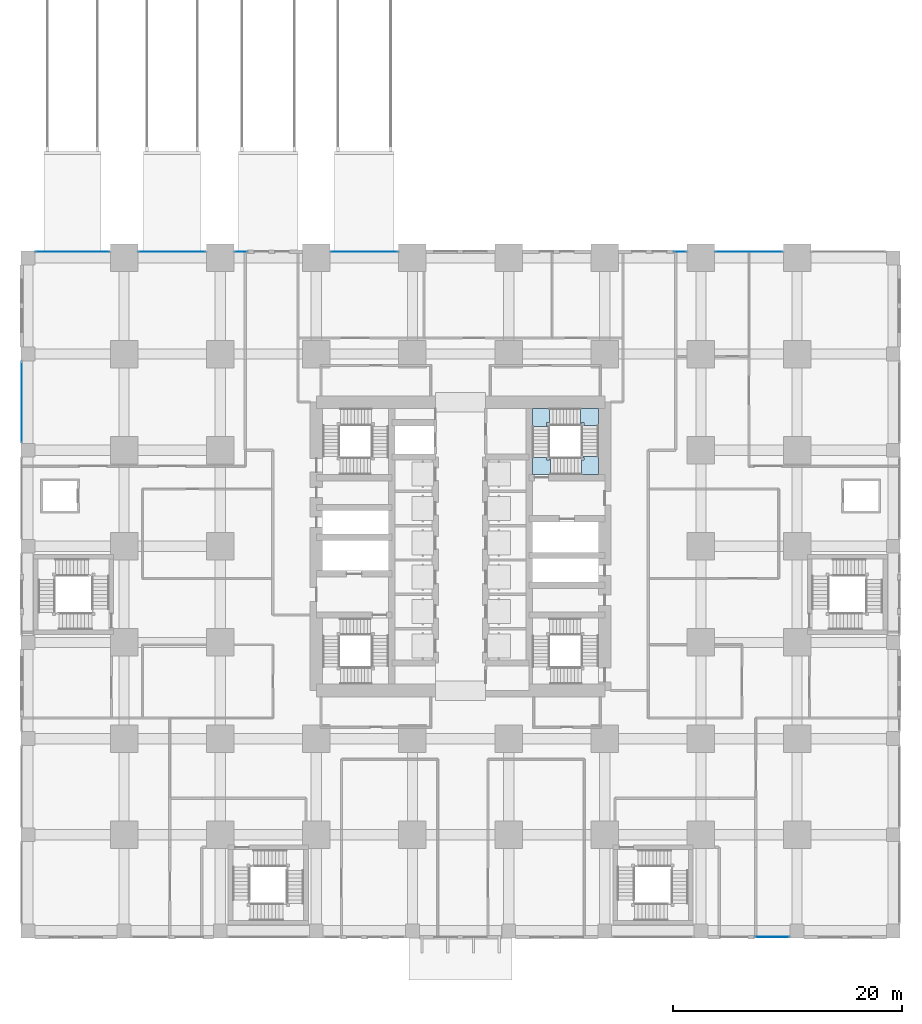
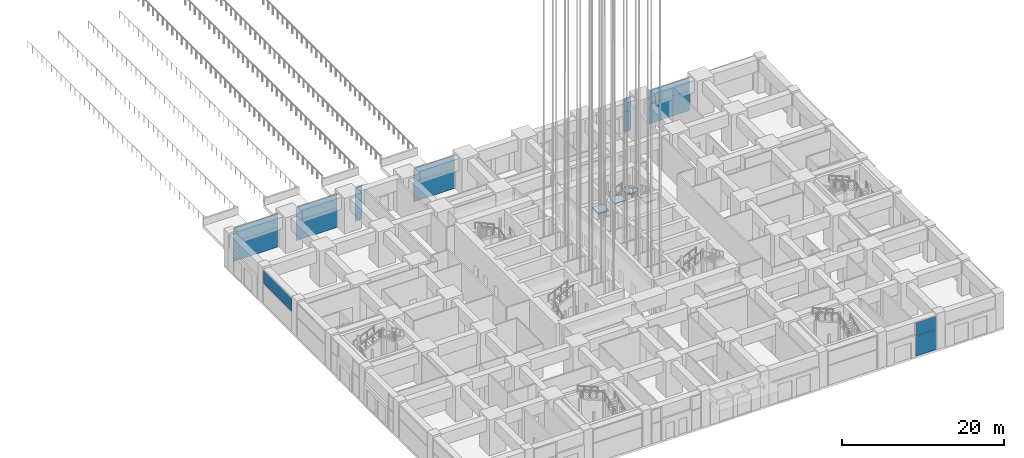
# One storey, part 35 of 81: 15 plates, 4 slabs, 9 elements without a shape of their own.
"""IFC4 building model written with IfcOpenShell, lengths in metres."""

from ifc_helpers import new_model, si_unit, direction, frame, origin, origin_2d, place, context, subcontext, project, spatial, polyline, rectangle, outline, extrude, material, layer, layer_set, type_object, element, aggregate, save


model = new_model("IFC4")

# Units and contexts
model_context = context("Model", 3, precision=1e-05, world=origin(), true_north=direction((0.0, 1.0)))
body_context = subcontext(model_context, "Body", "Model", "MODEL_VIEW")
ifc_project = project(units=[si_unit("LENGTHUNIT", "METRE"), si_unit("AREAUNIT", "SQUARE_METRE"), si_unit("VOLUMEUNIT", "CUBIC_METRE"), si_unit("PLANEANGLEUNIT", "RADIAN"), si_unit("MASSUNIT", "GRAM", prefix="KILO")], contexts=[model_context])

# Site, building, storey
site_placement = place(None, origin())
site = spatial("IfcSite", under=ifc_project, at=site_placement, CompositionType="ELEMENT")
building_placement = place(site_placement, origin())
building = spatial("IfcBuilding", under=site, at=building_placement, Name="Rekha Terrace Tower", CompositionType="ELEMENT")
storey_placement = place(building_placement, origin())
storey = spatial("IfcBuildingStorey", under=building, at=storey_placement, Name="L00", CompositionType="ELEMENT", Elevation=0.0)

# Curtain wall, plates
ifc_material_1 = material(Name="Aluminium framing", Category="aluminium")
curtain_wall_type = type_object("IfcCurtainWallType", Name="CW4 podium shopfront glazing", PredefinedType="USERDEFINED", material=ifc_material_1)
curtain_wall_1_placement = place(storey_placement, origin())
curtain_wall_1 = element("IfcCurtainWall", 1, at=curtain_wall_1_placement, inside=storey, type_object=curtain_wall_type, Name="CW4 shopfront curtain wall", ObjectType="SHOPFRONT CURTAIN WALL", PredefinedType="USERDEFINED")
ifc_material_2 = material(Name="Laminated double-glazed unit 30", Category="glass")
ifc_layer_1 = layer(ifc_material_2, 0.030029296875)
ifc_layer_set_1 = layer_set([ifc_layer_1], Name="Laminated double-glazed unit 30")
plate_type = type_object("IfcPlateType", Name="CW4 jumbo vision panel, laminated double-glazed unit 30", PredefinedType="CURTAIN_PANEL", material=ifc_layer_set_1)
plate_1_placement = place(storey_placement, frame((65.0400390625, -0.5400390625, 0.0), z_axis=(0.0, 0.0, 1.0), x_axis=(1.0, 0.0, 0.0)))
plate_1 = element("IfcPlate", 2, at=plate_1_placement, type_object=plate_type, Name="CW4 panel 1.1", PredefinedType="CURTAIN_PANEL", context=body_context, shape_type="SweptSolid", body=[
    extrude(rectangle(XDim=2.929931640625, YDim=0.030029296875, at=origin_2d()), origin(), (0.0, 0.0, 1.0), 2.96240234375),
])
plate_2_placement = place(storey_placement, frame((65.0400390625, -0.5400390625, 3.03759765625), z_axis=(0.0, 0.0, 1.0), x_axis=(1.0, 0.0, 0.0)))
plate_2 = element("IfcPlate", 3, at=plate_2_placement, type_object=plate_type, Name="CW4 panel 1.2", PredefinedType="CURTAIN_PANEL", context=body_context, shape_type="SweptSolid", body=[
    extrude(rectangle(XDim=2.929931640625, YDim=0.030029296875, at=origin_2d()), origin(), (0.0, 0.0, 1.0), 1.987548828125),
])
aggregate(curtain_wall_1, [plate_1, plate_2])

curtain_wall_2_placement = place(storey_placement, origin())
curtain_wall_2 = element("IfcCurtainWall", 4, at=curtain_wall_2_placement, inside=storey, type_object=curtain_wall_type, Name="CW4 shopfront curtain wall", ObjectType="SHOPFRONT CURTAIN WALL", PredefinedType="USERDEFINED")
plate_3_placement = place(storey_placement, frame((63.0, 59.340087890625, 0.0), z_axis=(0.0, 0.0, 1.0), x_axis=(-1.0, 0.0, 0.0)))
plate_3 = element("IfcPlate", 5, at=plate_3_placement, type_object=plate_type, Name="CW4 panel 1.1", PredefinedType="CURTAIN_PANEL", context=body_context, shape_type="SweptSolid", body=[
    extrude(rectangle(XDim=5.81005859375, YDim=0.030029296875, at=origin_2d()), origin(), (0.0, 0.0, 1.0), 2.96240234375),
])
plate_4_placement = place(storey_placement, frame((63.0, 59.340087890625, 3.03759765625), z_axis=(0.0, 0.0, 1.0), x_axis=(-1.0, 0.0, 0.0)))
plate_4 = element("IfcPlate", 6, at=plate_4_placement, type_object=plate_type, Name="CW4 panel 1.2", PredefinedType="CURTAIN_PANEL", context=body_context, shape_type="SweptSolid", body=[
    extrude(rectangle(XDim=5.81005859375, YDim=0.030029296875, at=origin_2d()), origin(), (0.0, 0.0, 1.0), 1.987548828125),
])
aggregate(curtain_wall_2, [plate_3, plate_4])

curtain_wall_3_placement = place(storey_placement, origin())
curtain_wall_3 = element("IfcCurtainWall", 7, at=curtain_wall_3_placement, inside=storey, type_object=curtain_wall_type, Name="CW4 shopfront curtain wall", ObjectType="SHOPFRONT CURTAIN WALL", PredefinedType="USERDEFINED")
plate_5_placement = place(storey_placement, frame((56.989990234375, 59.340087890625, 0.0), z_axis=(0.0, 0.0, 1.0), x_axis=(-1.0, 0.0, 0.0)))
plate_5 = element("IfcPlate", 8, at=plate_5_placement, type_object=plate_type, Name="CW4 panel 1.1", PredefinedType="CURTAIN_PANEL", context=body_context, shape_type="SweptSolid", body=[
    extrude(rectangle(XDim=1.030029296875, YDim=0.030029296875, at=origin_2d()), origin(), (0.0, 0.0, 1.0), 2.96240234375),
])
plate_6_placement = place(storey_placement, frame((56.989990234375, 59.340087890625, 3.03759765625), z_axis=(0.0, 0.0, 1.0), x_axis=(-1.0, 0.0, 0.0)))
plate_6 = element("IfcPlate", 9, at=plate_6_placement, type_object=plate_type, Name="CW4 panel 1.2", PredefinedType="CURTAIN_PANEL", context=body_context, shape_type="SweptSolid", body=[
    extrude(rectangle(XDim=1.030029296875, YDim=0.030029296875, at=origin_2d()), origin(), (0.0, 0.0, 1.0), 1.987548828125),
])
aggregate(curtain_wall_3, [plate_5, plate_6])

curtain_wall_4_placement = place(storey_placement, origin())
curtain_wall_4 = element("IfcCurtainWall", 10, at=curtain_wall_4_placement, inside=storey, type_object=curtain_wall_type, Name="CW4 shopfront curtain wall", ObjectType="SHOPFRONT CURTAIN WALL", PredefinedType="USERDEFINED")
plate_7_placement = place(storey_placement, frame((29.39990234375, 59.340087890625, 0.0), z_axis=(0.0, 0.0, 1.0), x_axis=(-1.0, 0.0, 0.0)))
plate_7 = element("IfcPlate", 11, at=plate_7_placement, type_object=plate_type, Name="CW4 panel 1.1", PredefinedType="CURTAIN_PANEL", context=body_context, shape_type="SweptSolid", body=[
    extrude(rectangle(XDim=5.81005859375, YDim=0.030029296875, at=origin_2d()), origin(), (0.0, 0.0, 1.0), 2.96240234375),
])
plate_8_placement = place(storey_placement, frame((29.39990234375, 59.340087890625, 3.03759765625), z_axis=(0.0, 0.0, 1.0), x_axis=(-1.0, 0.0, 0.0)))
plate_8 = element("IfcPlate", 12, at=plate_8_placement, type_object=plate_type, Name="CW4 panel 1.2", PredefinedType="CURTAIN_PANEL", context=body_context, shape_type="SweptSolid", body=[
    extrude(rectangle(XDim=5.81005859375, YDim=0.030029296875, at=origin_2d()), origin(), (0.0, 0.0, 1.0), 1.987548828125),
])
aggregate(curtain_wall_4, [plate_7, plate_8])

curtain_wall_5_placement = place(storey_placement, origin())
curtain_wall_5 = element("IfcCurtainWall", 13, at=curtain_wall_5_placement, inside=storey, type_object=curtain_wall_type, Name="CW4 shopfront curtain wall", ObjectType="SHOPFRONT CURTAIN WALL", PredefinedType="USERDEFINED")
plate_9_placement = place(storey_placement, frame((18.610107421875, 59.340087890625, 0.0), z_axis=(0.0, 0.0, 1.0), x_axis=(-1.0, 0.0, 0.0)))
plate_9 = element("IfcPlate", 14, at=plate_9_placement, type_object=plate_type, Name="CW4 panel 1.1", PredefinedType="CURTAIN_PANEL", context=body_context, shape_type="SweptSolid", body=[
    extrude(rectangle(XDim=1.030029296875, YDim=0.030029296875, at=origin_2d()), origin(), (0.0, 0.0, 1.0), 2.96240234375),
])
plate_10_placement = place(storey_placement, frame((18.610107421875, 59.340087890625, 3.03759765625), z_axis=(0.0, 0.0, 1.0), x_axis=(-1.0, 0.0, 0.0)))
plate_10 = element("IfcPlate", 15, at=plate_10_placement, type_object=plate_type, Name="CW4 panel 1.2", PredefinedType="CURTAIN_PANEL", context=body_context, shape_type="SweptSolid", body=[
    extrude(rectangle(XDim=1.030029296875, YDim=0.030029296875, at=origin_2d()), origin(), (0.0, 0.0, 1.0), 1.987548828125),
])
aggregate(curtain_wall_5, [plate_9, plate_10])

curtain_wall_6_placement = place(storey_placement, origin())
curtain_wall_6 = element("IfcCurtainWall", 16, at=curtain_wall_6_placement, inside=storey, type_object=curtain_wall_type, Name="CW4 shopfront curtain wall", ObjectType="SHOPFRONT CURTAIN WALL", PredefinedType="USERDEFINED")
plate_11_placement = place(storey_placement, frame((12.60009765625, 59.340087890625, 0.0), z_axis=(0.0, 0.0, 1.0), x_axis=(-1.0, 0.0, 0.0)))
plate_11 = element("IfcPlate", 17, at=plate_11_placement, type_object=plate_type, Name="CW4 panel 1.1", PredefinedType="CURTAIN_PANEL", context=body_context, shape_type="SweptSolid", body=[
    extrude(rectangle(XDim=5.81005859375, YDim=0.030029296875, at=origin_2d()), origin(), (0.0, 0.0, 1.0), 2.96240234375),
])
plate_12_placement = place(storey_placement, frame((12.60009765625, 59.340087890625, 3.03759765625), z_axis=(0.0, 0.0, 1.0), x_axis=(-1.0, 0.0, 0.0)))
plate_12 = element("IfcPlate", 18, at=plate_12_placement, type_object=plate_type, Name="CW4 panel 1.2", PredefinedType="CURTAIN_PANEL", context=body_context, shape_type="SweptSolid", body=[
    extrude(rectangle(XDim=5.81005859375, YDim=0.030029296875, at=origin_2d()), origin(), (0.0, 0.0, 1.0), 1.987548828125),
])
aggregate(curtain_wall_6, [plate_11, plate_12])

curtain_wall_7_placement = place(storey_placement, origin())
curtain_wall_7 = element("IfcCurtainWall", 19, at=curtain_wall_7_placement, inside=storey, type_object=curtain_wall_type, Name="CW4 shopfront curtain wall", ObjectType="SHOPFRONT CURTAIN WALL", PredefinedType="USERDEFINED")
plate_13_placement = place(storey_placement, frame((3.89990234375, 59.340087890625, 0.0), z_axis=(0.0, 0.0, 1.0), x_axis=(-1.0, 0.0, 0.0)))
plate_13 = element("IfcPlate", 20, at=plate_13_placement, type_object=plate_type, Name="CW4 panel 1.1", PredefinedType="CURTAIN_PANEL", context=body_context, shape_type="SweptSolid", body=[
    extrude(rectangle(XDim=6.409912109375, YDim=0.030029296875, at=origin_2d()), origin(), (0.0, 0.0, 1.0), 2.96240234375),
])
plate_14_placement = place(storey_placement, frame((3.89990234375, 59.340087890625, 3.03759765625), z_axis=(0.0, 0.0, 1.0), x_axis=(-1.0, 0.0, 0.0)))
plate_14 = element("IfcPlate", 21, at=plate_14_placement, type_object=plate_type, Name="CW4 panel 1.2", PredefinedType="CURTAIN_PANEL", context=body_context, shape_type="SweptSolid", body=[
    extrude(rectangle(XDim=6.409912109375, YDim=0.030029296875, at=origin_2d()), origin(), (0.0, 0.0, 1.0), 1.987548828125),
])
aggregate(curtain_wall_7, [plate_13, plate_14])

# Curtain wall, plate
curtain_wall_8_placement = place(storey_placement, origin())
curtain_wall_8 = element("IfcCurtainWall", 22, at=curtain_wall_8_placement, inside=storey, type_object=curtain_wall_type, Name="CW4 shopfront curtain wall", ObjectType="SHOPFRONT CURTAIN WALL", PredefinedType="USERDEFINED")
plate_15_placement = place(storey_placement, frame((-0.5400390625, 46.199951171875, 3.03759765625), z_axis=(0.0, 0.0, 1.0), x_axis=(0.0, -1.0, 0.0)))
plate_15 = element("IfcPlate", 23, at=plate_15_placement, type_object=plate_type, Name="CW4 panel 1.2", PredefinedType="CURTAIN_PANEL", context=body_context, shape_type="SweptSolid", body=[
    extrude(rectangle(XDim=7.010009765625, YDim=0.030029296875, at=origin_2d()), origin(), (0.0, 0.0, 1.0), 1.987548828125),
])
aggregate(curtain_wall_8, [plate_15])

# Stair, slabs
ifc_material_3 = material(Name="Concrete M40", Category="concrete")
stair_type = type_object("IfcStairType", Name="ST40 stair, 40 risers of 135, going 300, 1500 wide flights, 4 flights", PredefinedType="QUARTER_TURN_STAIR", material=ifc_material_3)
stair_placement = place(storey_placement, origin())
stair = element("IfcStair", 24, at=stair_placement, inside=storey, type_object=stair_type, Name="Stair ST2 L00 to L01", PredefinedType="QUARTER_TURN_STAIR")
ifc_layer_2 = layer(ifc_material_3, 0.199951171875)
ifc_layer_set_2 = layer_set([ifc_layer_2], Name="Concrete M40")
slab_type = type_object("IfcSlabType", Name="LD1 200 concrete stair landing", PredefinedType="LANDING", material=ifc_layer_set_2)
slab_1_placement = place(storey_placement, frame((0.0, 0.0, 1.14990234375)))
slab_1 = element("IfcSlab", 25, at=slab_1_placement, type_object=slab_type, Name="ST2 landing 1", PredefinedType="LANDING", context=body_context, shape_type="SweptSolid", body=[
    extrude(outline(polyline([(45.574951171875, 45.64990234375), (44.074951171875, 45.64990234375), (44.074951171875, 44.074951171875), (45.574951171875, 44.074951171875), (45.574951171875, 44.14990234375), (45.324951171875, 44.14990234375), (45.324951171875, 44.39990234375), (45.574951171875, 44.39990234375), (45.574951171875, 45.64990234375)])), origin(), (0.0, 0.0, 1.0), 0.2001953125),
])
slab_2_placement = place(storey_placement, frame((0.0, 0.0, 2.5)))
slab_2 = element("IfcSlab", 26, at=slab_2_placement, type_object=slab_type, Name="ST2 landing 2", PredefinedType="LANDING", context=body_context, shape_type="SweptSolid", body=[
    extrude(outline(polyline([(49.85009765625, 44.14990234375), (49.85009765625, 45.64990234375), (48.27490234375, 45.64990234375), (48.27490234375, 44.14990234375), (48.35009765625, 44.14990234375), (48.35009765625, 44.39990234375), (48.60009765625, 44.39990234375), (48.60009765625, 44.14990234375), (49.85009765625, 44.14990234375)])), origin(), (0.0, 0.0, 1.0), 0.199951171875),
])
slab_3_placement = place(storey_placement, frame((0.0, 0.0, 3.85009765625)))
slab_3 = element("IfcSlab", 27, at=slab_3_placement, type_object=slab_type, Name="ST2 landing 3", PredefinedType="LANDING", context=body_context, shape_type="SweptSolid", body=[
    extrude(outline(polyline([(48.35009765625, 39.875), (49.85009765625, 39.875), (49.85009765625, 41.449951171875), (48.35009765625, 41.449951171875), (48.35009765625, 41.375), (48.60009765625, 41.375), (48.60009765625, 41.125), (48.35009765625, 41.125), (48.35009765625, 39.875)])), origin(), (0.0, 0.0, 1.0), 0.199951171875),
])
slab_4_placement = place(storey_placement, frame((0.0, 0.0, 5.199951171875)))
slab_4 = element("IfcSlab", 28, at=slab_4_placement, type_object=slab_type, Name="ST2 landing 4", PredefinedType="LANDING", context=body_context, shape_type="SweptSolid", body=[
    extrude(outline(polyline([(44.074951171875, 41.375), (44.074951171875, 39.875), (45.64990234375, 39.875), (45.64990234375, 41.375), (45.574951171875, 41.375), (45.574951171875, 41.125), (45.324951171875, 41.125), (45.324951171875, 41.375), (44.074951171875, 41.375)])), origin(), (0.0, 0.0, 1.0), 0.199951171875),
])
aggregate(stair, [slab_1, slab_2, slab_3, slab_4])

save(model, "model.ifc")
